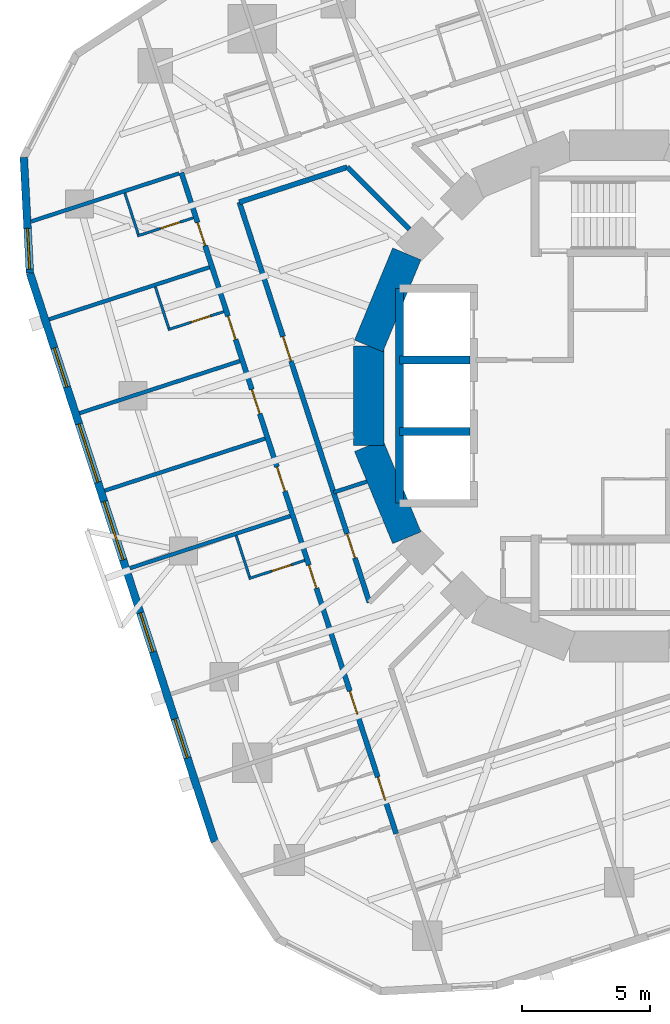
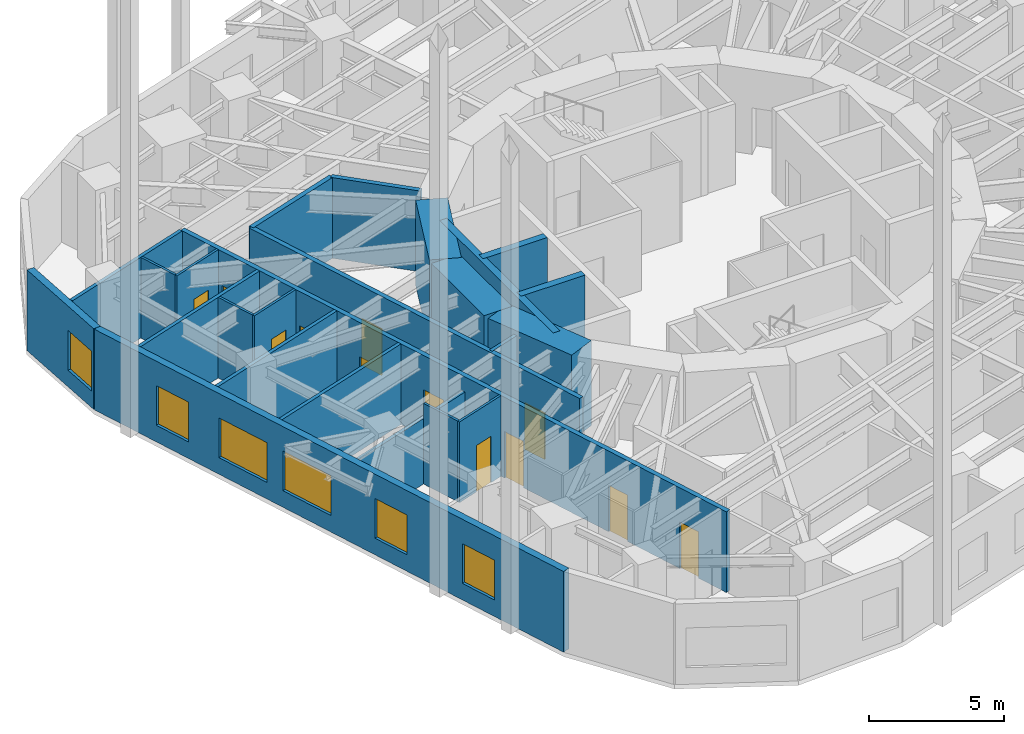
# One storey, part 5 of 10: 24 walls, 12 doors, 6 windows, 18 openings.
"""IFC4 building model written with IfcOpenShell, lengths in metres."""

from ifc_helpers import new_model, si_unit, direction, frame, frame_2d, origin, place, context, subcontext, project, spatial, rectangle, extrude, material, layer, layer_set, type_object, element, fill, save


model = new_model("IFC4")

# Units and contexts
model_context = context("Model", 3, precision=1e-05, world=origin(), true_north=direction((0.0, 1.0)))
body_context = subcontext(model_context, "Body", "Model", "MODEL_VIEW")
ifc_project = project(units=[si_unit("LENGTHUNIT", "METRE"), si_unit("AREAUNIT", "SQUARE_METRE"), si_unit("VOLUMEUNIT", "CUBIC_METRE"), si_unit("PLANEANGLEUNIT", "RADIAN"), si_unit("MASSUNIT", "GRAM", prefix="KILO")], contexts=[model_context])

# Site, building, storey
site_placement = place(None, origin())
site = spatial("IfcSite", under=ifc_project, at=site_placement, CompositionType="ELEMENT")
building_placement = place(site_placement, origin())
building = spatial("IfcBuilding", under=site, at=building_placement, Name="Nakasero Lantern House", CompositionType="ELEMENT")
storey_placement = place(building_placement, frame((0.0, 0.0, 141.800048828125)))
storey = spatial("IfcBuildingStorey", under=building, at=storey_placement, Name="L34", CompositionType="ELEMENT", Elevation=141.800048828125)

# Walls
ifc_material_1 = material(Name="Concrete C50/60", Category="concrete")
ifc_layer_1 = layer(ifc_material_1, 0.300048828125)
ifc_layer_set_1 = layer_set([ifc_layer_1], Name="Core inner wall 300")
wall_type_1 = type_object("IfcWallType", Name="Core inner wall 300", PredefinedType="SHEAR", material=ifc_layer_set_1)
wall_1_placement = place(storey_placement, frame((-8.60009765625, -4.199951171875, 0.0), z_axis=(0.0, 0.0, 1.0), x_axis=(0.0, 1.0, 0.0)))
element("IfcWall", 1, at=wall_1_placement, inside=storey, type_object=wall_type_1, Name="Core inner wall L34 LWB", PredefinedType="SHEAR", context=body_context, shape_type="SweptSolid", body=[
    extrude(rectangle(XDim=8.39990234375, YDim=0.300048828125, at=frame_2d((4.199951171875, 0.0))), origin(), (0.0, 0.0, 1.0), 3.849853515625),
])
for number, where, z_axis, x_axis, name in (
    (2, (-8.60009765625, -1.39990234375, 0.0), (0.0, 0.0, 1.0), (1.0, 0.0, 0.0), "Core inner wall L34 LW1"),
    (3, (-8.60009765625, 1.39990234375, 0.0), (0.0, 0.0, 1.0), (1.0, 0.0, 0.0), "Core inner wall L34 LW2"),
):
    element("IfcWall", number, at=place(storey_placement, frame(where, z_axis=z_axis, x_axis=x_axis)), inside=storey, type_object=wall_type_1, Name=name, PredefinedType="SHEAR", context=body_context, shape_type="SweptSolid", body=[
        extrude(rectangle(XDim=2.75, YDim=0.300048828125, at=frame_2d((1.375, 0.0))), origin(), (0.0, 0.0, 1.0), 3.849853515625),
    ])
ifc_material_2 = material(Name="Concrete C50/60", Category="concrete")
ifc_layer_2 = layer(ifc_material_2, 1.199951171875)
ifc_layer_set_2 = layer_set([ifc_layer_2], Name="Core wall 1200")
wall_type_2 = type_object("IfcWallType", Name="Core wall 1200", PredefinedType="SHEAR", material=ifc_layer_set_2)
for number, where, z_axis, x_axis, name in (
    (4, (-8.314697265625, 5.5556640625, 0.0), (0.0, 0.0, 1.0), (-0.382690736062, -0.923876507187, 0.0), "Core wall L34 facet 7"),
    (5, (-9.807861328125, 1.950927734375, 0.0), (0.0, 0.0, 1.0), (0.0, -1.0, 0.0), "Core wall L34 facet 8"),
    (6, (-9.807861328125, -1.950927734375, 0.0), (0.0, 0.0, 1.0), (0.382690736062, -0.923876507187, 0.0), "Core wall L34 facet 9"),
):
    element("IfcWall", number, at=place(storey_placement, frame(where, z_axis=z_axis, x_axis=x_axis)), inside=storey, type_object=wall_type_2, Name=name, PredefinedType="SHEAR", context=body_context, shape_type="SweptSolid", body=[
        extrude(rectangle(XDim=3.90185546875, YDim=1.199951171875, at=frame_2d((1.950927734375, 0.0))), origin(), (0.0, 0.0, 1.0), 3.849853515625),
    ])

# Wall, openings, doors
ifc_material_3 = material(Name="Blockwork", Category="masonry")
ifc_layer_3 = layer(ifc_material_3, 0.199951171875)
ifc_layer_set_3 = layer_set([ifc_layer_3], Name="Corridor wall 200")
wall_type_3 = type_object("IfcWallType", Name="Corridor wall 200", PredefinedType="PARTITIONING", material=ifc_layer_set_3)
wall_2_placement = place(storey_placement, frame((-17.136962890625, 8.731689453125, 0.0), z_axis=(0.0, 0.0, 1.0), x_axis=(0.309018283835, -0.951056097323, 0.0)))
wall_2 = element("IfcWall", 7, at=wall_2_placement, inside=storey, type_object=wall_type_3, Name="Corridor wall L34 CW2", PredefinedType="PARTITIONING", context=body_context, shape_type="SweptSolid", body=[
    extrude(rectangle(XDim=27.199951171875, YDim=0.199951171875, at=frame_2d((13.60009765625, 0.0))), origin(), (0.0, 0.0, 1.0), 3.64990234375),
])
opening_1_placement = place(wall_2_placement, frame((2.050048828125, 0.0, 0.0)))
opening_1 = element("IfcOpeningElement", 8, at=opening_1_placement, cuts=wall_2, Name="Opening D01", PredefinedType="OPENING", context=body_context, shape_type="SweptSolid", body=[
    extrude(rectangle(XDim=0.949951171875, YDim=2.10009765625, at=frame_2d((0.47509765625, 1.050048828125))), frame((0.0, 0.119873046875, 0.0), z_axis=(0.0, -1.0, 0.0), x_axis=(1.0, 0.0, 0.0)), (0.0, 0.0, 1.0), 0.239990234375),
])
opening_2_placement = place(wall_2_placement, frame((5.909423828125, 0.0, 0.0)))
opening_2 = element("IfcOpeningElement", 9, at=opening_2_placement, cuts=wall_2, Name="Opening D01", PredefinedType="OPENING", context=body_context, shape_type="SweptSolid", body=[
    extrude(rectangle(XDim=0.949951171875, YDim=2.10009765625, at=frame_2d((0.47509765625, 1.050048828125))), frame((0.0, 0.119873046875, 0.0), z_axis=(0.0, -1.0, 0.0), x_axis=(1.0, 0.0, 0.0)), (0.0, 0.0, 1.0), 0.239990234375),
])
opening_3_placement = place(wall_2_placement, frame((16.14697265625, 0.0, 0.0)))
opening_3 = element("IfcOpeningElement", 10, at=opening_3_placement, cuts=wall_2, Name="Opening D01", PredefinedType="OPENING", context=body_context, shape_type="SweptSolid", body=[
    extrude(rectangle(XDim=0.949951171875, YDim=2.10009765625, at=frame_2d((0.47509765625, 1.050048828125))), frame((0.0, 0.119873046875, 0.0), z_axis=(0.0, -1.0, 0.0), x_axis=(1.0, 0.0, 0.0)), (0.0, 0.0, 1.0), 0.239990234375),
])
opening_4_placement = place(wall_2_placement, frame((21.328125, 0.0, 0.0)))
opening_4 = element("IfcOpeningElement", 11, at=opening_4_placement, cuts=wall_2, Name="Opening D01", PredefinedType="OPENING", context=body_context, shape_type="SweptSolid", body=[
    extrude(rectangle(XDim=0.949951171875, YDim=2.10009765625, at=frame_2d((0.47509765625, 1.050048828125))), frame((0.0, 0.119873046875, 0.0), z_axis=(0.0, -1.0, 0.0), x_axis=(1.0, 0.0, 0.0)), (0.0, 0.0, 1.0), 0.239990234375),
])
opening_5_placement = place(wall_2_placement, frame((24.872314453125, 0.0, 0.0)))
opening_5 = element("IfcOpeningElement", 12, at=opening_5_placement, cuts=wall_2, Name="Opening D01", PredefinedType="OPENING", context=body_context, shape_type="SweptSolid", body=[
    extrude(rectangle(XDim=0.949951171875, YDim=2.10009765625, at=frame_2d((0.47509765625, 1.050048828125))), frame((0.0, 0.119873046875, 0.0), z_axis=(0.0, -1.0, 0.0), x_axis=(1.0, 0.0, 0.0)), (0.0, 0.0, 1.0), 0.239990234375),
])
opening_6_placement = place(wall_2_placement, frame((8.9189453125, 0.0, 0.0)))
opening_6 = element("IfcOpeningElement", 13, at=opening_6_placement, cuts=wall_2, Name="Opening D03", PredefinedType="OPENING", context=body_context, shape_type="SweptSolid", body=[
    extrude(rectangle(XDim=1.0, YDim=2.10009765625, at=frame_2d((0.5, 1.050048828125))), frame((0.0, 0.119873046875, 0.0), z_axis=(0.0, -1.0, 0.0), x_axis=(1.0, 0.0, 0.0)), (0.0, 0.0, 1.0), 0.239990234375),
])
opening_7_placement = place(wall_2_placement, frame((12.10791015625, 0.0, 0.0)))
opening_7 = element("IfcOpeningElement", 14, at=opening_7_placement, cuts=wall_2, Name="Opening D03", PredefinedType="OPENING", context=body_context, shape_type="SweptSolid", body=[
    extrude(rectangle(XDim=1.0, YDim=2.10009765625, at=frame_2d((0.5, 1.050048828125))), frame((0.0, 0.119873046875, 0.0), z_axis=(0.0, -1.0, 0.0), x_axis=(1.0, 0.0, 0.0)), (0.0, 0.0, 1.0), 0.239990234375),
])
ifc_material_4 = material(Name="Timber C24", Category="wood")
door_type_1 = type_object("IfcDoorType", Name="Bedroom door FD30S 950", OperationType="SINGLE_SWING_LEFT", PredefinedType="DOOR", material=ifc_material_4)
door_1_placement = place(opening_1_placement, origin())
door_1 = element("IfcDoor", 15, at=door_1_placement, inside=storey, type_object=door_type_1, Name="Door L34 D2-00", OperationType="SINGLE_SWING_LEFT", OverallHeight=2.10009765625, OverallWidth=0.949951171875, PredefinedType="DOOR", context=body_context, shape_type="SweptSolid", body=[
    extrude(rectangle(XDim=0.949951171875, YDim=2.10009765625, at=frame_2d((0.47509765625, 1.050048828125))), frame((0.0, 0.02490234375, 0.0), z_axis=(0.0, -1.0, 0.0), x_axis=(1.0, 0.0, 0.0)), (0.0, 0.0, 1.0), 0.050048828125),
])
fill(opening_1, door_1)
door_2_placement = place(opening_2_placement, origin())
door_2 = element("IfcDoor", 16, at=door_2_placement, inside=storey, type_object=door_type_1, Name="Door L34 D2-01", OperationType="SINGLE_SWING_LEFT", OverallHeight=2.10009765625, OverallWidth=0.949951171875, PredefinedType="DOOR", context=body_context, shape_type="SweptSolid", body=[
    extrude(rectangle(XDim=0.949951171875, YDim=2.10009765625, at=frame_2d((0.47509765625, 1.050048828125))), frame((0.0, 0.02490234375, 0.0), z_axis=(0.0, -1.0, 0.0), x_axis=(1.0, 0.0, 0.0)), (0.0, 0.0, 1.0), 0.050048828125),
])
fill(opening_2, door_2)
door_3_placement = place(opening_3_placement, origin())
door_3 = element("IfcDoor", 17, at=door_3_placement, inside=storey, type_object=door_type_1, Name="Door L34 D2-04", OperationType="SINGLE_SWING_RIGHT", OverallHeight=2.10009765625, OverallWidth=0.949951171875, PredefinedType="DOOR", context=body_context, shape_type="SweptSolid", body=[
    extrude(rectangle(XDim=0.949951171875, YDim=2.10009765625, at=frame_2d((0.47509765625, 1.050048828125))), frame((0.0, 0.02490234375, 0.0), z_axis=(0.0, -1.0, 0.0), x_axis=(1.0, 0.0, 0.0)), (0.0, 0.0, 1.0), 0.050048828125),
])
fill(opening_3, door_3)
door_4_placement = place(opening_4_placement, origin())
door_4 = element("IfcDoor", 18, at=door_4_placement, inside=storey, type_object=door_type_1, Name="Door L34 D2-05", OperationType="SINGLE_SWING_RIGHT", OverallHeight=2.10009765625, OverallWidth=0.949951171875, PredefinedType="DOOR", context=body_context, shape_type="SweptSolid", body=[
    extrude(rectangle(XDim=0.949951171875, YDim=2.10009765625, at=frame_2d((0.47509765625, 1.050048828125))), frame((0.0, 0.02490234375, 0.0), z_axis=(0.0, -1.0, 0.0), x_axis=(1.0, 0.0, 0.0)), (0.0, 0.0, 1.0), 0.050048828125),
])
fill(opening_4, door_4)
door_5_placement = place(opening_5_placement, origin())
door_5 = element("IfcDoor", 19, at=door_5_placement, inside=storey, type_object=door_type_1, Name="Door L34 D2-06", OperationType="SINGLE_SWING_RIGHT", OverallHeight=2.10009765625, OverallWidth=0.949951171875, PredefinedType="DOOR", context=body_context, shape_type="SweptSolid", body=[
    extrude(rectangle(XDim=0.949951171875, YDim=2.10009765625, at=frame_2d((0.47509765625, 1.050048828125))), frame((0.0, 0.02490234375, 0.0), z_axis=(0.0, -1.0, 0.0), x_axis=(1.0, 0.0, 0.0)), (0.0, 0.0, 1.0), 0.050048828125),
])
fill(opening_5, door_5)
ifc_material_5 = material(Name="Timber C24", Category="wood")
door_type_2 = type_object("IfcDoorType", Name="Lounge door FD30S 1000", OperationType="SINGLE_SWING_LEFT", PredefinedType="DOOR", material=ifc_material_5)
door_6_placement = place(opening_6_placement, origin())
door_6 = element("IfcDoor", 20, at=door_6_placement, inside=storey, type_object=door_type_2, Name="Door L34 DK2", OperationType="SINGLE_SWING_LEFT", OverallHeight=2.10009765625, OverallWidth=1.0, PredefinedType="DOOR", context=body_context, shape_type="SweptSolid", body=[
    extrude(rectangle(XDim=1.0, YDim=2.10009765625, at=frame_2d((0.5, 1.050048828125))), frame((0.0, 0.02490234375, 0.0), z_axis=(0.0, -1.0, 0.0), x_axis=(1.0, 0.0, 0.0)), (0.0, 0.0, 1.0), 0.050048828125),
])
fill(opening_6, door_6)
door_7_placement = place(opening_7_placement, origin())
door_7 = element("IfcDoor", 21, at=door_7_placement, inside=storey, type_object=door_type_2, Name="Door L34 DK2-1", OperationType="SINGLE_SWING_LEFT", OverallHeight=2.10009765625, OverallWidth=1.0, PredefinedType="DOOR", context=body_context, shape_type="SweptSolid", body=[
    extrude(rectangle(XDim=1.0, YDim=2.10009765625, at=frame_2d((0.5, 1.050048828125))), frame((0.0, 0.02490234375, 0.0), z_axis=(0.0, -1.0, 0.0), x_axis=(1.0, 0.0, 0.0)), (0.0, 0.0, 1.0), 0.050048828125),
])
fill(opening_7, door_7)

# Wall
wall_3_placement = place(storey_placement, frame((-10.6455078125, 8.9482421875, 0.0), z_axis=(0.0, 0.0, 1.0), x_axis=(-0.951069212627, -0.308977916351, 0.0)))
element("IfcWall", 22, at=wall_3_placement, inside=storey, type_object=wall_type_3, Name="Corridor wall L34 IW1-1", PredefinedType="PARTITIONING", context=body_context, shape_type="SweptSolid", body=[
    extrude(rectangle(XDim=4.440673828125, YDim=0.199951171875, at=frame_2d((2.22021484375, 0.0))), origin(), (0.0, 0.0, 1.0), 3.64990234375),
])

# Wall, openings, doors
wall_4_placement = place(storey_placement, frame((-14.868896484375, 7.576171875, 0.0), z_axis=(0.0, 0.0, 1.0), x_axis=(0.309012648104, -0.951057928473, 0.0)))
wall_4 = element("IfcWall", 23, at=wall_4_placement, inside=storey, type_object=wall_type_3, Name="Corridor wall L34 IW2-0", PredefinedType="PARTITIONING", context=body_context, shape_type="SweptSolid", body=[
    extrude(rectangle(XDim=16.4658203125, YDim=0.199951171875, at=frame_2d((8.23291015625, 0.0))), origin(), (0.0, 0.0, 1.0), 3.64990234375),
])
opening_8_placement = place(wall_4_placement, frame((13.640380859375, 0.0, 0.0)))
opening_8 = element("IfcOpeningElement", 24, at=opening_8_placement, cuts=wall_4, Name="Opening D07", PredefinedType="OPENING", context=body_context, shape_type="SweptSolid", body=[
    extrude(rectangle(XDim=1.0, YDim=2.10009765625, at=frame_2d((0.5, 1.050048828125))), frame((0.0, 0.119873046875, 0.0), z_axis=(0.0, -1.0, 0.0), x_axis=(1.0, 0.0, 0.0)), (0.0, 0.0, 1.0), 0.239990234375),
])
opening_9_placement = place(wall_4_placement, frame((5.532470703125, 0.0, 0.0)))
opening_9 = element("IfcOpeningElement", 25, at=opening_9_placement, cuts=wall_4, Name="Opening D07", PredefinedType="OPENING", context=body_context, shape_type="SweptSolid", body=[
    extrude(rectangle(XDim=1.0, YDim=2.10009765625, at=frame_2d((0.5, 1.050048828125))), frame((0.0, 0.119873046875, 0.0), z_axis=(0.0, -1.0, 0.0), x_axis=(1.0, 0.0, 0.0)), (0.0, 0.0, 1.0), 0.239990234375),
])
ifc_material_6 = material(Name="Timber C24", Category="wood")
door_type_3 = type_object("IfcDoorType", Name="Room door FD30S 1000", OperationType="SINGLE_SWING_LEFT", PredefinedType="DOOR", material=ifc_material_6)
door_8_placement = place(opening_8_placement, origin())
door_8 = element("IfcDoor", 26, at=door_8_placement, inside=storey, type_object=door_type_3, Name="Door L34 DI1", OperationType="SINGLE_SWING_RIGHT", OverallHeight=2.10009765625, OverallWidth=1.0, PredefinedType="DOOR", context=body_context, shape_type="SweptSolid", body=[
    extrude(rectangle(XDim=1.0, YDim=2.10009765625, at=frame_2d((0.5, 1.050048828125))), frame((0.0, 0.02490234375, 0.0), z_axis=(0.0, -1.0, 0.0), x_axis=(1.0, 0.0, 0.0)), (0.0, 0.0, 1.0), 0.050048828125),
])
fill(opening_8, door_8)
door_9_placement = place(opening_9_placement, origin())
door_9 = element("IfcDoor", 27, at=door_9_placement, inside=storey, type_object=door_type_3, Name="Door L34 DI8", OperationType="SINGLE_SWING_LEFT", OverallHeight=2.10009765625, OverallWidth=1.0, PredefinedType="DOOR", context=body_context, shape_type="SweptSolid", body=[
    extrude(rectangle(XDim=1.0, YDim=2.10009765625, at=frame_2d((0.5, 1.050048828125))), frame((0.0, 0.02490234375, 0.0), z_axis=(0.0, -1.0, 0.0), x_axis=(1.0, 0.0, 0.0)), (0.0, 0.0, 1.0), 0.050048828125),
])
fill(opening_9, door_9)

# Wall
wall_5_placement = place(storey_placement, frame((-8.2080078125, 6.510986328125, 0.0), z_axis=(0.0, 0.0, 1.0), x_axis=(-0.707142194071, 0.707071366528, 0.0)))
element("IfcWall", 28, at=wall_5_placement, inside=storey, type_object=wall_type_3, Name="Corridor wall L34 PS06a", PredefinedType="PARTITIONING", context=body_context, shape_type="SweptSolid", body=[
    extrude(rectangle(XDim=3.447021484375, YDim=0.199951171875, at=frame_2d((1.7236328125, 0.0))), origin(), (0.0, 0.0, 1.0), 3.64990234375),
])

# Wall, opening, door
ifc_material_7 = material(Name="Blockwork", Category="masonry")
ifc_layer_4 = layer(ifc_material_7, 0.10009765625)
ifc_layer_set_4 = layer_set([ifc_layer_4], Name="En-suite wall 100")
wall_type_4 = type_object("IfcWallType", Name="En-suite wall 100", PredefinedType="PARTITIONING", material=ifc_layer_set_4)
wall_6_placement = place(storey_placement, frame((-16.668212890625, 6.965087890625, 0.0), z_axis=(0.0, 0.0, 1.0), x_axis=(-0.951055129775, -0.309021261611, 0.0)))
wall_6 = element("IfcWall", 29, at=wall_6_placement, inside=storey, type_object=wall_type_4, Name="En-suite wall L34 ES2-00", PredefinedType="PARTITIONING", context=body_context, shape_type="SweptSolid", body=[
    extrude(rectangle(XDim=2.2998046875, YDim=0.10009765625, at=frame_2d((1.14990234375, 0.0))), origin(), (0.0, 0.0, 1.0), 3.64990234375),
])
opening_10_placement = place(wall_6_placement, frame((0.550048828125, 0.0, 0.0)))
opening_10 = element("IfcOpeningElement", 30, at=opening_10_placement, cuts=wall_6, Name="Opening D02", PredefinedType="OPENING", context=body_context, shape_type="SweptSolid", body=[
    extrude(rectangle(XDim=0.800048828125, YDim=2.10009765625, at=frame_2d((0.39990234375, 1.050048828125))), frame((0.0, 0.070068359375, 0.0), z_axis=(0.0, -1.0, 0.0), x_axis=(1.0, 0.0, 0.0)), (0.0, 0.0, 1.0), 0.14013671875),
])
ifc_material_8 = material(Name="Timber C24", Category="wood")
door_type_4 = type_object("IfcDoorType", Name="En-suite door 800", OperationType="SINGLE_SWING_RIGHT", PredefinedType="DOOR", material=ifc_material_8)
door_10_placement = place(opening_10_placement, origin())
door_10 = element("IfcDoor", 31, at=door_10_placement, inside=storey, type_object=door_type_4, Name="Door L34 DE2-00", OperationType="SINGLE_SWING_LEFT", OverallHeight=2.10009765625, OverallWidth=0.800048828125, PredefinedType="DOOR", context=body_context, shape_type="SweptSolid", body=[
    extrude(rectangle(XDim=0.800048828125, YDim=2.10009765625, at=frame_2d((0.39990234375, 1.050048828125))), frame((0.0, 0.02490234375, 0.0), z_axis=(0.0, -1.0, 0.0), x_axis=(1.0, 0.0, 0.0)), (0.0, 0.0, 1.0), 0.050048828125),
])
fill(opening_10, door_10)

# Wall
wall_7_placement = place(storey_placement, frame((-19.348876953125, 7.934326171875, 0.0), z_axis=(0.0, 0.0, 1.0), x_axis=(0.309024378638, -0.951054116971, 0.0)))
element("IfcWall", 32, at=wall_7_placement, inside=storey, type_object=wall_type_4, Name="En-suite wall L34 EE2-00", PredefinedType="PARTITIONING", context=body_context, shape_type="SweptSolid", body=[
    extrude(rectangle(XDim=1.7001953125, YDim=0.10009765625, at=frame_2d((0.85009765625, 0.0))), origin(), (0.0, 0.0, 1.0), 3.64990234375),
])

# Wall, opening, door
wall_8_placement = place(storey_placement, frame((-15.4755859375, 3.294677734375, 0.0), z_axis=(0.0, 0.0, 1.0), x_axis=(-0.951023926986, -0.309117275966, 0.0)))
wall_8 = element("IfcWall", 33, at=wall_8_placement, inside=storey, type_object=wall_type_4, Name="En-suite wall L34 ES2-01", PredefinedType="PARTITIONING", context=body_context, shape_type="SweptSolid", body=[
    extrude(rectangle(XDim=2.2998046875, YDim=0.10009765625, at=frame_2d((1.14990234375, 0.0))), origin(), (0.0, 0.0, 1.0), 3.64990234375),
])
opening_11_placement = place(wall_8_placement, frame((0.550048828125, 0.0, 0.0)))
opening_11 = element("IfcOpeningElement", 34, at=opening_11_placement, cuts=wall_8, Name="Opening D02", PredefinedType="OPENING", context=body_context, shape_type="SweptSolid", body=[
    extrude(rectangle(XDim=0.800048828125, YDim=2.10009765625, at=frame_2d((0.39990234375, 1.050048828125))), frame((0.0, 0.070068359375, 0.0), z_axis=(0.0, -1.0, 0.0), x_axis=(1.0, 0.0, 0.0)), (0.0, 0.0, 1.0), 0.14013671875),
])
door_11_placement = place(opening_11_placement, origin())
door_11 = element("IfcDoor", 35, at=door_11_placement, inside=storey, type_object=door_type_4, Name="Door L34 DE2-01", OperationType="SINGLE_SWING_LEFT", OverallHeight=2.10009765625, OverallWidth=0.800048828125, PredefinedType="DOOR", context=body_context, shape_type="SweptSolid", body=[
    extrude(rectangle(XDim=0.800048828125, YDim=2.10009765625, at=frame_2d((0.39990234375, 1.050048828125))), frame((0.0, 0.02490234375, 0.0), z_axis=(0.0, -1.0, 0.0), x_axis=(1.0, 0.0, 0.0)), (0.0, 0.0, 1.0), 0.050048828125),
])
fill(opening_11, door_11)

# Wall
wall_9_placement = place(storey_placement, frame((-18.15625, 4.263671875, 0.0), z_axis=(0.0, 0.0, 1.0), x_axis=(0.309024378638, -0.951054116971, 0.0)))
element("IfcWall", 36, at=wall_9_placement, inside=storey, type_object=wall_type_4, Name="En-suite wall L34 EE2-01", PredefinedType="PARTITIONING", context=body_context, shape_type="SweptSolid", body=[
    extrude(rectangle(XDim=1.7001953125, YDim=0.10009765625, at=frame_2d((0.85009765625, 0.0))), origin(), (0.0, 0.0, 1.0), 3.64990234375),
])

# Wall, opening, door
wall_10_placement = place(storey_placement, frame((-12.31201171875, -6.44189453125, 0.0), z_axis=(0.0, 0.0, 1.0), x_axis=(-0.951055129775, -0.309021261611, 0.0)))
wall_10 = element("IfcWall", 37, at=wall_10_placement, inside=storey, type_object=wall_type_4, Name="En-suite wall L34 ES2-04", PredefinedType="PARTITIONING", context=body_context, shape_type="SweptSolid", body=[
    extrude(rectangle(XDim=2.2998046875, YDim=0.10009765625, at=frame_2d((1.14990234375, 0.0))), origin(), (0.0, 0.0, 1.0), 3.64990234375),
])
opening_12_placement = place(wall_10_placement, frame((0.550048828125, 0.0, 0.0)))
opening_12 = element("IfcOpeningElement", 38, at=opening_12_placement, cuts=wall_10, Name="Opening D02", PredefinedType="OPENING", context=body_context, shape_type="SweptSolid", body=[
    extrude(rectangle(XDim=0.800048828125, YDim=2.10009765625, at=frame_2d((0.39990234375, 1.050048828125))), frame((0.0, 0.070068359375, 0.0), z_axis=(0.0, -1.0, 0.0), x_axis=(1.0, 0.0, 0.0)), (0.0, 0.0, 1.0), 0.14013671875),
])
door_12_placement = place(opening_12_placement, origin())
door_12 = element("IfcDoor", 39, at=door_12_placement, inside=storey, type_object=door_type_4, Name="Door L34 DE2-04", OperationType="SINGLE_SWING_LEFT", OverallHeight=2.10009765625, OverallWidth=0.800048828125, PredefinedType="DOOR", context=body_context, shape_type="SweptSolid", body=[
    extrude(rectangle(XDim=0.800048828125, YDim=2.10009765625, at=frame_2d((0.39990234375, 1.050048828125))), frame((0.0, 0.02490234375, 0.0), z_axis=(0.0, -1.0, 0.0), x_axis=(1.0, 0.0, 0.0)), (0.0, 0.0, 1.0), 0.050048828125),
])
fill(opening_12, door_12)

# Wall
wall_11_placement = place(storey_placement, frame((-14.99267578125, -5.472900390625, 0.0), z_axis=(0.0, 0.0, 1.0), x_axis=(0.309066587596, -0.951040401051, 0.0)))
element("IfcWall", 40, at=wall_11_placement, inside=storey, type_object=wall_type_4, Name="En-suite wall L34 EE2-04", PredefinedType="PARTITIONING", context=body_context, shape_type="SweptSolid", body=[
    extrude(rectangle(XDim=1.699951171875, YDim=0.10009765625, at=frame_2d((0.85009765625, 0.0))), origin(), (0.0, 0.0, 1.0), 3.64990234375),
])

# Wall, opening, window
ifc_material_9 = material(Name="Aluminium rainscreen on blockwork", Category="masonry")
ifc_layer_5 = layer(ifc_material_9, 0.300048828125)
ifc_layer_set_5 = layer_set([ifc_layer_5], Name="Facade wall 300")
wall_type_5 = type_object("IfcWallType", Name="Facade wall 300", PredefinedType="SOLIDWALL", material=ifc_layer_set_5)
wall_12_placement = place(storey_placement, frame((-23.3017578125, 9.3310546875, 0.0), z_axis=(0.0, 0.0, 1.0), x_axis=(0.052338164079, -0.998629419044, 0.0)))
wall_12 = element("IfcWall", 41, at=wall_12_placement, inside=storey, type_object=wall_type_5, Name="Facade wall L34 FW1C3", PredefinedType="SOLIDWALL", context=body_context, shape_type="SweptSolid", body=[
    extrude(rectangle(XDim=4.529296875, YDim=0.300048828125, at=frame_2d((2.2646484375, 0.0))), origin(), (0.0, 0.0, 1.0), 3.64990234375),
])
opening_13_placement = place(wall_12_placement, frame((2.784912109375, 0.0, 0.75)))
opening_13 = element("IfcOpeningElement", 42, at=opening_13_placement, cuts=wall_12, Name="Opening W01", PredefinedType="OPENING", context=body_context, shape_type="SweptSolid", body=[
    extrude(rectangle(XDim=1.60009765625, YDim=1.800048828125, at=frame_2d((0.800048828125, 0.89990234375))), frame((0.0, 0.169921875, 0.0), z_axis=(0.0, -1.0, 0.0), x_axis=(1.0, 0.0, 0.0)), (0.0, 0.0, 1.0), 0.340087890625),
])
ifc_material_10 = material(Name="Aluminium 6063-T6 and glass", Category="aluminium")
window_type_1 = type_object("IfcWindowType", Name="Bedroom window 1600x1800", PartitioningType="SINGLE_PANEL", PredefinedType="WINDOW", material=ifc_material_10)
window_1_placement = place(opening_13_placement, origin())
window_1 = element("IfcWindow", 43, at=window_1_placement, inside=storey, type_object=window_type_1, Name="Window L34 WN2-00", OverallHeight=1.800048828125, OverallWidth=1.60009765625, PartitioningType="SINGLE_PANEL", PredefinedType="WINDOW", context=body_context, shape_type="SweptSolid", body=[
    extrude(rectangle(XDim=1.60009765625, YDim=1.800048828125, at=frame_2d((0.800048828125, 0.89990234375))), frame((0.0, 0.030029296875, 0.0), z_axis=(0.0, -1.0, 0.0), x_axis=(1.0, 0.0, 0.0)), (0.0, 0.0, 1.0), 0.06005859375),
])
fill(opening_13, window_1)

# Wall, openings, windows
wall_13_placement = place(storey_placement, frame((-23.064697265625, 4.807861328125, 0.0), z_axis=(0.0, 0.0, 1.0), x_axis=(0.30902591324, -0.951053618334, 0.0)))
wall_13 = element("IfcWall", 44, at=wall_13_placement, inside=storey, type_object=wall_type_5, Name="Facade wall L34 FW2S", PredefinedType="SOLIDWALL", context=body_context, shape_type="SweptSolid", body=[
    extrude(rectangle(XDim=23.39990234375, YDim=0.300048828125, at=frame_2d((11.699951171875, 0.0))), origin(), (0.0, 0.0, 1.0), 3.64990234375),
])
opening_14_placement = place(wall_13_placement, frame((3.089111328125, 0.0, 0.75)))
opening_14 = element("IfcOpeningElement", 45, at=opening_14_placement, cuts=wall_13, Name="Opening W01", PredefinedType="OPENING", context=body_context, shape_type="SweptSolid", body=[
    extrude(rectangle(XDim=1.60009765625, YDim=1.800048828125, at=frame_2d((0.800048828125, 0.89990234375))), frame((0.0, 0.169921875, 0.0), z_axis=(0.0, -1.0, 0.0), x_axis=(1.0, 0.0, 0.0)), (0.0, 0.0, 1.0), 0.340087890625),
])
opening_15_placement = place(wall_13_placement, frame((13.987548828125, 0.0, 0.75)))
opening_15 = element("IfcOpeningElement", 46, at=opening_15_placement, cuts=wall_13, Name="Opening W01", PredefinedType="OPENING", context=body_context, shape_type="SweptSolid", body=[
    extrude(rectangle(XDim=1.60009765625, YDim=1.800048828125, at=frame_2d((0.800048828125, 0.89990234375))), frame((0.0, 0.169921875, 0.0), z_axis=(0.0, -1.0, 0.0), x_axis=(1.0, 0.0, 0.0)), (0.0, 0.0, 1.0), 0.340087890625),
])
opening_16_placement = place(wall_13_placement, frame((18.350341796875, 0.0, 0.75)))
opening_16 = element("IfcOpeningElement", 47, at=opening_16_placement, cuts=wall_13, Name="Opening W01", PredefinedType="OPENING", context=body_context, shape_type="SweptSolid", body=[
    extrude(rectangle(XDim=1.60009765625, YDim=1.800048828125, at=frame_2d((0.800048828125, 0.89990234375))), frame((0.0, 0.169921875, 0.0), z_axis=(0.0, -1.0, 0.0), x_axis=(1.0, 0.0, 0.0)), (0.0, 0.0, 1.0), 0.340087890625),
])
opening_17_placement = place(wall_13_placement, frame((6.21337890625, 0.0, 0.75)))
opening_17 = element("IfcOpeningElement", 48, at=opening_17_placement, cuts=wall_13, Name="Opening W03", PredefinedType="OPENING", context=body_context, shape_type="SweptSolid", body=[
    extrude(rectangle(XDim=2.39990234375, YDim=1.800048828125, at=frame_2d((1.199951171875, 0.89990234375))), frame((0.0, 0.169921875, 0.0), z_axis=(0.0, -1.0, 0.0), x_axis=(1.0, 0.0, 0.0)), (0.0, 0.0, 1.0), 0.340087890625),
])
opening_18_placement = place(wall_13_placement, frame((9.402587890625, 0.0, 0.75)))
opening_18 = element("IfcOpeningElement", 49, at=opening_18_placement, cuts=wall_13, Name="Opening W03", PredefinedType="OPENING", context=body_context, shape_type="SweptSolid", body=[
    extrude(rectangle(XDim=2.39990234375, YDim=1.800048828125, at=frame_2d((1.199951171875, 0.89990234375))), frame((0.0, 0.169921875, 0.0), z_axis=(0.0, -1.0, 0.0), x_axis=(1.0, 0.0, 0.0)), (0.0, 0.0, 1.0), 0.340087890625),
])
window_2_placement = place(opening_14_placement, origin())
window_2 = element("IfcWindow", 50, at=window_2_placement, inside=storey, type_object=window_type_1, Name="Window L34 WN2-01", OverallHeight=1.800048828125, OverallWidth=1.60009765625, PartitioningType="SINGLE_PANEL", PredefinedType="WINDOW", context=body_context, shape_type="SweptSolid", body=[
    extrude(rectangle(XDim=1.60009765625, YDim=1.800048828125, at=frame_2d((0.800048828125, 0.89990234375))), frame((0.0, 0.030029296875, 0.0), z_axis=(0.0, -1.0, 0.0), x_axis=(1.0, 0.0, 0.0)), (0.0, 0.0, 1.0), 0.06005859375),
])
fill(opening_14, window_2)
window_3_placement = place(opening_15_placement, origin())
window_3 = element("IfcWindow", 51, at=window_3_placement, inside=storey, type_object=window_type_1, Name="Window L34 WN2-04", OverallHeight=1.800048828125, OverallWidth=1.60009765625, PartitioningType="SINGLE_PANEL", PredefinedType="WINDOW", context=body_context, shape_type="SweptSolid", body=[
    extrude(rectangle(XDim=1.60009765625, YDim=1.800048828125, at=frame_2d((0.800048828125, 0.89990234375))), frame((0.0, 0.030029296875, 0.0), z_axis=(0.0, -1.0, 0.0), x_axis=(1.0, 0.0, 0.0)), (0.0, 0.0, 1.0), 0.06005859375),
])
fill(opening_15, window_3)
window_4_placement = place(opening_16_placement, origin())
window_4 = element("IfcWindow", 52, at=window_4_placement, inside=storey, type_object=window_type_1, Name="Window L34 WN2-05", OverallHeight=1.800048828125, OverallWidth=1.60009765625, PartitioningType="SINGLE_PANEL", PredefinedType="WINDOW", context=body_context, shape_type="SweptSolid", body=[
    extrude(rectangle(XDim=1.60009765625, YDim=1.800048828125, at=frame_2d((0.800048828125, 0.89990234375))), frame((0.0, 0.030029296875, 0.0), z_axis=(0.0, -1.0, 0.0), x_axis=(1.0, 0.0, 0.0)), (0.0, 0.0, 1.0), 0.06005859375),
])
fill(opening_16, window_4)
ifc_material_11 = material(Name="Aluminium 6063-T6 and glass", Category="aluminium")
window_type_2 = type_object("IfcWindowType", Name="Lounge window 2400x1800", PartitioningType="SINGLE_PANEL", PredefinedType="WINDOW", material=ifc_material_11)
window_5_placement = place(opening_17_placement, origin())
window_5 = element("IfcWindow", 53, at=window_5_placement, inside=storey, type_object=window_type_2, Name="Window L34 WK2", OverallHeight=1.800048828125, OverallWidth=2.39990234375, PartitioningType="SINGLE_PANEL", PredefinedType="WINDOW", context=body_context, shape_type="SweptSolid", body=[
    extrude(rectangle(XDim=2.39990234375, YDim=1.800048828125, at=frame_2d((1.199951171875, 0.89990234375))), frame((0.0, 0.030029296875, 0.0), z_axis=(0.0, -1.0, 0.0), x_axis=(1.0, 0.0, 0.0)), (0.0, 0.0, 1.0), 0.06005859375),
])
fill(opening_17, window_5)
window_6_placement = place(opening_18_placement, origin())
window_6 = element("IfcWindow", 54, at=window_6_placement, inside=storey, type_object=window_type_2, Name="Window L34 WL2", OverallHeight=1.800048828125, OverallWidth=2.39990234375, PartitioningType="SINGLE_PANEL", PredefinedType="WINDOW", context=body_context, shape_type="SweptSolid", body=[
    extrude(rectangle(XDim=2.39990234375, YDim=1.800048828125, at=frame_2d((1.199951171875, 0.89990234375))), frame((0.0, 0.030029296875, 0.0), z_axis=(0.0, -1.0, 0.0), x_axis=(1.0, 0.0, 0.0)), (0.0, 0.0, 1.0), 0.06005859375),
])
fill(opening_18, window_6)

# Walls
ifc_material_12 = material(Name="Blockwork", Category="masonry")
ifc_layer_6 = layer(ifc_material_12, 0.14990234375)
ifc_layer_set_6 = layer_set([ifc_layer_6], Name="Party wall 150")
wall_type_6 = type_object("IfcWallType", Name="Party wall 150", PredefinedType="PARTITIONING", material=ifc_layer_set_6)
wall_14_placement = place(storey_placement, frame((-17.232177734375, 8.700927734375, 0.0), z_axis=(0.0, 0.0, 1.0), x_axis=(-0.951057081836, -0.309015253813, 0.0)))
element("IfcWall", 55, at=wall_14_placement, inside=storey, type_object=wall_type_6, Name="Party wall L34 PW2-00", PredefinedType="PARTITIONING", context=body_context, shape_type="SweptSolid", body=[
    extrude(rectangle(XDim=6.080322265625, YDim=0.14990234375, at=frame_2d((3.0400390625, 0.0))), origin(), (0.0, 0.0, 1.0), 3.64990234375),
])
for number, where, z_axis, x_axis, name in (
    (56, (-16.03955078125, 5.0302734375, 0.0), (0.0, 0.0, 1.0), (-0.951053095941, -0.309027520945, 0.0), "Party wall L34 PW2-01"),
    (57, (-14.846923828125, 1.359619140625, 0.0), (0.0, 0.0, 1.0), (-0.951053095941, -0.309027520945, 0.0), "Party wall L34 PW2-02"),
):
    element("IfcWall", number, at=place(storey_placement, frame(where, z_axis=z_axis, x_axis=x_axis)), inside=storey, type_object=wall_type_6, Name=name, PredefinedType="PARTITIONING", context=body_context, shape_type="SweptSolid", body=[
        extrude(rectangle(XDim=6.599853515625, YDim=0.14990234375, at=frame_2d((3.2998046875, 0.0))), origin(), (0.0, 0.0, 1.0), 3.64990234375),
    ])
wall_15_placement = place(storey_placement, frame((-13.861328125, -1.67333984375, 0.0), z_axis=(0.0, 0.0, 1.0), x_axis=(-0.951056628375, -0.309016649428, 0.0)))
element("IfcWall", 58, at=wall_15_placement, inside=storey, type_object=wall_type_6, Name="Party wall L34 PW2-03", PredefinedType="PARTITIONING", context=body_context, shape_type="SweptSolid", body=[
    extrude(rectangle(XDim=6.60009765625, YDim=0.14990234375, at=frame_2d((3.300048828125, 0.0))), origin(), (0.0, 0.0, 1.0), 3.64990234375),
])
wall_16_placement = place(storey_placement, frame((-12.8759765625, -4.706298828125, 0.0), z_axis=(0.0, 0.0, 1.0), x_axis=(-0.951053095941, -0.309027520945, 0.0)))
element("IfcWall", 59, at=wall_16_placement, inside=storey, type_object=wall_type_6, Name="Party wall L34 PW2-04", PredefinedType="PARTITIONING", context=body_context, shape_type="SweptSolid", body=[
    extrude(rectangle(XDim=6.599853515625, YDim=0.14990234375, at=frame_2d((3.2998046875, 0.0))), origin(), (0.0, 0.0, 1.0), 2.966552734375),
])
wall_17_placement = place(storey_placement, frame((-11.17919921875, -3.779541015625, 0.0), z_axis=(0.0, 0.0, 1.0), x_axis=(0.951077243429, 0.308953195535, 0.0)))
element("IfcWall", 60, at=wall_17_placement, inside=storey, type_object=wall_type_6, Name="Party wall L34 IM2", PredefinedType="PARTITIONING", context=body_context, shape_type="SweptSolid", body=[
    extrude(rectangle(XDim=1.37109375, YDim=0.14990234375, at=frame_2d((0.685546875, 0.0))), origin(), (0.0, 0.0, 1.0), 3.64990234375),
])

save(model, "model.ifc")
